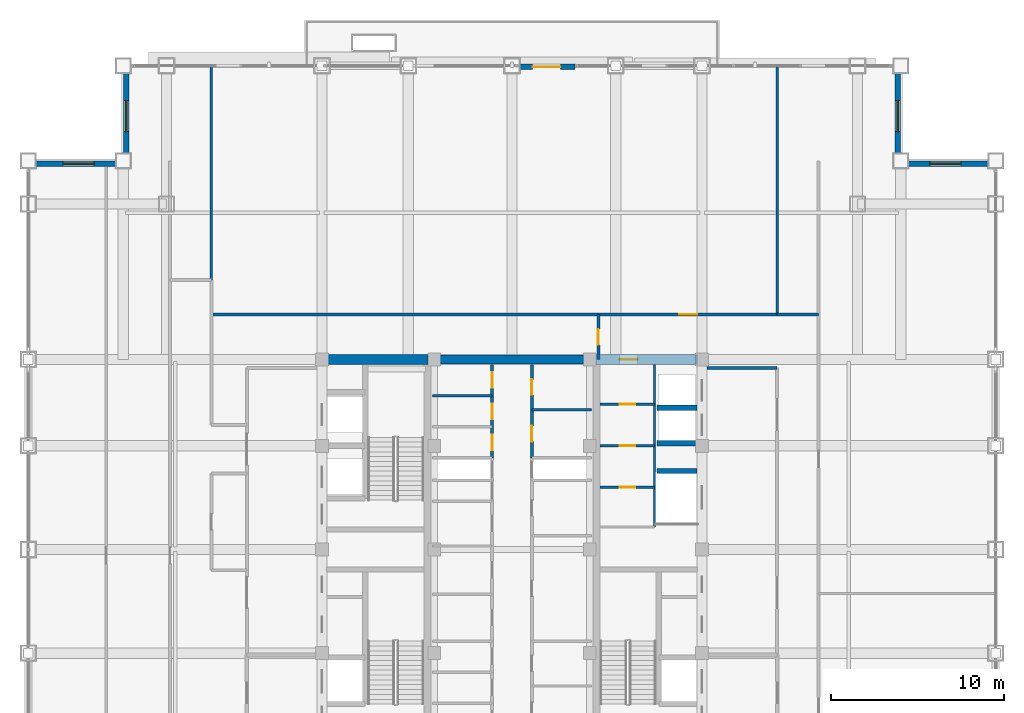
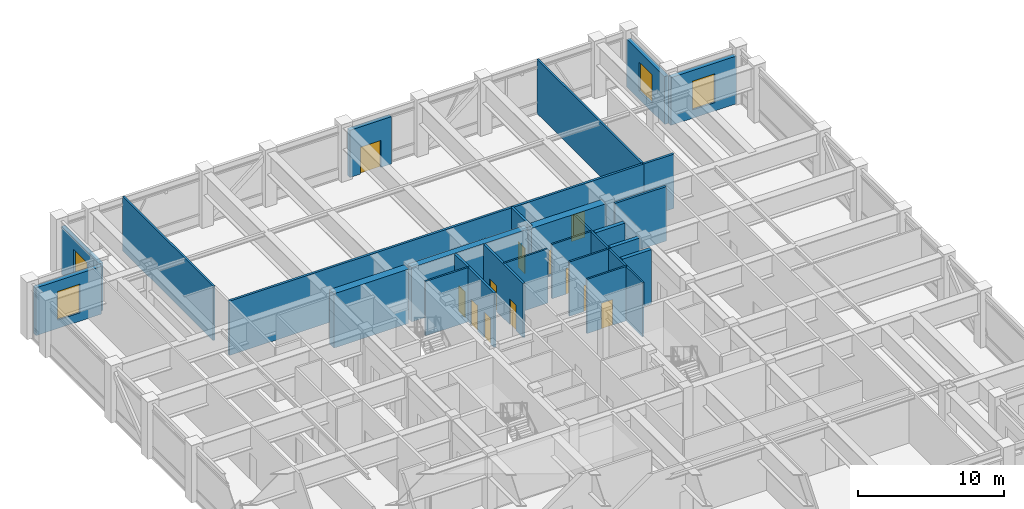
# One storey, part 25 of 31: 25 walls, 12 doors, 4 windows, 16 openings.
"""IFC4 building model written with IfcOpenShell, lengths in metres."""

from ifc_helpers import new_model, si_unit, direction, frame, frame_2d, origin, place, context, subcontext, project, spatial, rectangle, extrude, source, transform, mapped, material, layer, layer_set, type_object, element, fill, save


model = new_model("IFC4")

# Units and contexts
model_context = context("Model", 3, precision=1e-05, world=origin(), true_north=direction((0.0, 1.0)))
body_context = subcontext(model_context, "Body", "Model", "MODEL_VIEW")
ifc_project = project(units=[si_unit("LENGTHUNIT", "METRE"), si_unit("AREAUNIT", "SQUARE_METRE"), si_unit("VOLUMEUNIT", "CUBIC_METRE"), si_unit("PLANEANGLEUNIT", "RADIAN"), si_unit("MASSUNIT", "GRAM", prefix="KILO")], contexts=[model_context])

# Site, building, storey
site_placement = place(None, origin())
site = spatial("IfcSite", under=ifc_project, at=site_placement, CompositionType="ELEMENT")
building_placement = place(site_placement, origin())
building = spatial("IfcBuilding", under=site, at=building_placement, Name="Khorayat Bourse Tower", CompositionType="ELEMENT")
storey_placement = place(building_placement, frame((0.0, 0.0, 321.5)))
storey = spatial("IfcBuildingStorey", under=building, at=storey_placement, Name="L76", CompositionType="ELEMENT", Elevation=321.5)

# Wall
ifc_material_1 = material(Name="Concrete C60/75", Category="concrete")
ifc_layer_1 = layer(ifc_material_1, 0.60009765625)
ifc_layer_set_1 = layer_set([ifc_layer_1], Name="Concrete C60/75")
wall_type_1 = type_object("IfcWallType", Name="WAL-CORE-600", PredefinedType="SHEAR", material=ifc_layer_set_1)
shared_shape_1 = source(origin(), body_context, "Body", "SweptSolid", [
    extrude(rectangle(XDim=5.89990234375, YDim=0.60009765625, at=frame_2d((2.949951171875, 0.0))), origin(), (0.0, 0.0, 1.0), 4.5400390625),
])
wall_1_placement = place(storey_placement, frame((-10.75, 11.0, 0.0), z_axis=(0.0, 0.0, 1.0), x_axis=(1.0, 0.0, 0.0)))
element("IfcWall", 1, at=wall_1_placement, inside=storey, type_object=wall_type_1, Name="L76 Core Shear Wall PIER-WN", PredefinedType="SHEAR", context=body_context, shape_type="MappedRepresentation", body=[
    mapped(shared_shape_1, transform((0.0, 0.0, 0.0), scale=1.0)),
])

# Wall, opening, door
wall_2_placement = place(storey_placement, frame((4.85009765625, 11.0, 0.0), z_axis=(0.0, 0.0, 1.0), x_axis=(1.0, 0.0, 0.0)))
wall_2 = element("IfcWall", 2, at=wall_2_placement, inside=storey, type_object=wall_type_1, Name="L76 Core Shear Wall PIER-EN", PredefinedType="SHEAR", context=body_context, shape_type="MappedRepresentation", body=[
    mapped(shared_shape_1, transform((0.0, 0.0, 0.0), scale=1.0)),
])
shared_shape_2 = source(origin(), body_context, "Body", "SweptSolid", [
    extrude(rectangle(XDim=1.050048828125, YDim=2.199951171875, at=frame_2d((0.52490234375, 1.10009765625))), frame((0.0, 0.31005859375, 0.0), z_axis=(0.0, -1.0, 0.0), x_axis=(1.0, 0.0, 0.0)), (0.0, 0.0, 1.0), 0.6201171875),
])
opening_1_placement = place(wall_2_placement, frame((1.375, 0.0, 0.0)))
opening_1 = element("IfcOpeningElement", 3, at=opening_1_placement, cuts=wall_2, Name="Opening DI-04", PredefinedType="OPENING", context=body_context, shape_type="MappedRepresentation", body=[
    mapped(shared_shape_2, transform((0.0, 0.0, 0.0), scale=1.0)),
])
ifc_material_2 = material(Name="Fire-rated oak veneer suite entrance door")
door_type_1 = type_object("IfcDoorType", Name="DR-INT-SUITE-1050", OperationType="NOTDEFINED", PredefinedType="DOOR", material=ifc_material_2)
shared_shape_3 = source(origin(), body_context, "Body", "SweptSolid", [
    extrude(rectangle(XDim=1.050048828125, YDim=2.199951171875, at=frame_2d((0.52490234375, 1.10009765625))), frame((0.0, 0.02490234375, 0.0), z_axis=(0.0, -1.0, 0.0), x_axis=(1.0, 0.0, 0.0)), (0.0, 0.0, 1.0), 0.050048828125),
])
door_1_placement = place(opening_1_placement, origin())
door_1 = element("IfcDoor", 4, at=door_1_placement, inside=storey, type_object=door_type_1, Name="L76 Core Washroom Lobby Door", OperationType="SINGLE_SWING_LEFT", OverallHeight=2.199951171875, OverallWidth=1.050048828125, PredefinedType="DOOR", context=body_context, shape_type="MappedRepresentation", body=[
    mapped(shared_shape_3, transform((0.0, 0.0, 0.0), scale=1.0)),
])
fill(opening_1, door_1)

# Wall
ifc_material_3 = material(Name="Concrete C52/65", Category="concrete")
ifc_layer_2 = layer(ifc_material_3, 0.5)
ifc_layer_set_2 = layer_set([ifc_layer_2], Name="Concrete C52/65")
wall_type_2 = type_object("IfcWallType", Name="WAL-CORE-500", PredefinedType="SHEAR", material=ifc_layer_set_2)
shared_shape_4 = source(origin(), body_context, "Body", "SweptSolid", [
    extrude(rectangle(XDim=9.2001953125, YDim=0.5, at=frame_2d((4.60009765625, 0.0))), origin(), (0.0, 0.0, 1.0), 4.5400390625),
])
wall_3_placement = place(storey_placement, frame((-4.60009765625, 11.0, 0.0), z_axis=(0.0, 0.0, 1.0), x_axis=(1.0, 0.0, 0.0)))
element("IfcWall", 5, at=wall_3_placement, inside=storey, type_object=wall_type_2, Name="L76 Core Shear Wall CORE-N", PredefinedType="SHEAR", context=body_context, shape_type="MappedRepresentation", body=[
    mapped(shared_shape_4, transform((0.0, 0.0, 0.0), scale=1.0)),
])

# Wall, opening, window
ifc_material_4 = material(Name="Precast concrete C45/55", Category="concrete")
ifc_layer_3 = layer(ifc_material_4, 0.320068359375)
ifc_layer_set_3 = layer_set([ifc_layer_3], Name="Precast concrete C45/55")
wall_type_3 = type_object("IfcWallType", Name="WAL-EXT-STONE-320", PredefinedType="STANDARD", material=ifc_layer_set_3)
shared_shape_5 = source(origin(), body_context, "Body", "SweptSolid", [
    extrude(rectangle(XDim=5.179931640625, YDim=0.320068359375, at=frame_2d((2.58984375, 0.0))), origin(), (0.0, 0.0, 1.0), 3.990966796875),
])
wall_4_placement = place(storey_placement, frame((22.5, 22.340087890625, 0.0), z_axis=(0.0, 0.0, 1.0), x_axis=(1.0, 0.0, 0.0)))
wall_4 = element("IfcWall", 6, at=wall_4_placement, inside=storey, type_object=wall_type_3, Name="L76 Re-Entrant Notch Limestone Wall NE-H", PredefinedType="STANDARD", context=body_context, shape_type="MappedRepresentation", body=[
    mapped(shared_shape_5, transform((0.0, 0.0, 0.0), scale=1.0)),
])
shared_shape_6 = source(origin(), body_context, "Body", "SweptSolid", [
    extrude(rectangle(XDim=1.800048828125, YDim=2.39990234375, at=frame_2d((0.89990234375, 1.199951171875))), frame((0.0, 0.169921875, 0.0), z_axis=(0.0, -1.0, 0.0), x_axis=(1.0, 0.0, 0.0)), (0.0, 0.0, 1.0), 0.340087890625),
])
opening_2_placement = place(wall_4_placement, frame((1.68994140625, 0.0, 0.699951171875)))
opening_2 = element("IfcOpeningElement", 7, at=opening_2_placement, cuts=wall_4, Name="Opening WN-04", PredefinedType="OPENING", context=body_context, shape_type="MappedRepresentation", body=[
    mapped(shared_shape_6, transform((0.0, 0.0, 0.0), scale=1.0)),
])
ifc_material_5 = material(Name="Low-E acoustic laminated double glazing", Category="glass")
window_type = type_object("IfcWindowType", Name="WIN-NOTCH-1800x2400", PartitioningType="SINGLE_PANEL", PredefinedType="WINDOW", material=ifc_material_5)
shared_shape_7 = source(origin(), body_context, "Body", "SweptSolid", [
    extrude(rectangle(XDim=1.800048828125, YDim=2.39990234375, at=frame_2d((0.89990234375, 1.199951171875))), frame((0.0, 0.030029296875, 0.0), z_axis=(0.0, -1.0, 0.0), x_axis=(1.0, 0.0, 0.0)), (0.0, 0.0, 1.0), 0.06005859375),
])
window_1_placement = place(opening_2_placement, origin())
window_1 = element("IfcWindow", 8, at=window_1_placement, inside=storey, type_object=window_type, Name="L76 Facade Window 1", OverallHeight=2.39990234375, OverallWidth=1.800048828125, PartitioningType="SINGLE_PANEL", PredefinedType="WINDOW", context=body_context, shape_type="MappedRepresentation", body=[
    mapped(shared_shape_7, transform((0.0, 0.0, 0.0), scale=1.0)),
])
fill(opening_2, window_1)

wall_5_placement = place(storey_placement, frame((22.340087890625, 22.5, 0.0), z_axis=(0.0, 0.0, 1.0), x_axis=(0.0, 1.0, 0.0)))
wall_5 = element("IfcWall", 9, at=wall_5_placement, inside=storey, type_object=wall_type_3, Name="L76 Re-Entrant Notch Limestone Wall NE-V", PredefinedType="STANDARD", context=body_context, shape_type="MappedRepresentation", body=[
    mapped(shared_shape_5, transform((0.0, 0.0, 0.0), scale=1.0)),
])
opening_3_placement = place(wall_5_placement, frame((1.68994140625, 0.0, 0.699951171875)))
opening_3 = element("IfcOpeningElement", 10, at=opening_3_placement, cuts=wall_5, Name="Opening WN-04", PredefinedType="OPENING", context=body_context, shape_type="MappedRepresentation", body=[
    mapped(shared_shape_6, transform((0.0, 0.0, 0.0), scale=1.0)),
])
window_2_placement = place(opening_3_placement, origin())
window_2 = element("IfcWindow", 11, at=window_2_placement, inside=storey, type_object=window_type, Name="L76 Facade Window 1", OverallHeight=2.39990234375, OverallWidth=1.800048828125, PartitioningType="SINGLE_PANEL", PredefinedType="WINDOW", context=body_context, shape_type="MappedRepresentation", body=[
    mapped(shared_shape_7, transform((0.0, 0.0, 0.0), scale=1.0)),
])
fill(opening_3, window_2)

wall_6_placement = place(storey_placement, frame((-22.340087890625, 22.5, 0.0), z_axis=(0.0, 0.0, 1.0), x_axis=(0.0, 1.0, 0.0)))
wall_6 = element("IfcWall", 12, at=wall_6_placement, inside=storey, type_object=wall_type_3, Name="L76 Re-Entrant Notch Limestone Wall NW-V", PredefinedType="STANDARD", context=body_context, shape_type="MappedRepresentation", body=[
    mapped(shared_shape_5, transform((0.0, 0.0, 0.0), scale=1.0)),
])
opening_4_placement = place(wall_6_placement, frame((1.68994140625, 0.0, 0.699951171875)))
opening_4 = element("IfcOpeningElement", 13, at=opening_4_placement, cuts=wall_6, Name="Opening WN-04", PredefinedType="OPENING", context=body_context, shape_type="MappedRepresentation", body=[
    mapped(shared_shape_6, transform((0.0, 0.0, 0.0), scale=1.0)),
])
window_3_placement = place(opening_4_placement, origin())
window_3 = element("IfcWindow", 14, at=window_3_placement, inside=storey, type_object=window_type, Name="L76 Facade Window 1", OverallHeight=2.39990234375, OverallWidth=1.800048828125, PartitioningType="SINGLE_PANEL", PredefinedType="WINDOW", context=body_context, shape_type="MappedRepresentation", body=[
    mapped(shared_shape_7, transform((0.0, 0.0, 0.0), scale=1.0)),
])
fill(opening_4, window_3)

wall_7_placement = place(storey_placement, frame((-22.5, 22.340087890625, 0.0), z_axis=(0.0, 0.0, 1.0), x_axis=(-1.0, 0.0, 0.0)))
wall_7 = element("IfcWall", 15, at=wall_7_placement, inside=storey, type_object=wall_type_3, Name="L76 Re-Entrant Notch Limestone Wall NW-H", PredefinedType="STANDARD", context=body_context, shape_type="MappedRepresentation", body=[
    mapped(shared_shape_5, transform((0.0, 0.0, 0.0), scale=1.0)),
])
opening_5_placement = place(wall_7_placement, frame((1.68994140625, 0.0, 0.699951171875)))
opening_5 = element("IfcOpeningElement", 16, at=opening_5_placement, cuts=wall_7, Name="Opening WN-04", PredefinedType="OPENING", context=body_context, shape_type="MappedRepresentation", body=[
    mapped(shared_shape_6, transform((0.0, 0.0, 0.0), scale=1.0)),
])
window_4_placement = place(opening_5_placement, origin())
window_4 = element("IfcWindow", 17, at=window_4_placement, inside=storey, type_object=window_type, Name="L76 Facade Window 1", OverallHeight=2.39990234375, OverallWidth=1.800048828125, PartitioningType="SINGLE_PANEL", PredefinedType="WINDOW", context=body_context, shape_type="MappedRepresentation", body=[
    mapped(shared_shape_7, transform((0.0, 0.0, 0.0), scale=1.0)),
])
fill(opening_5, window_4)

# Wall, opening, door
shared_shape_8 = source(origin(), body_context, "Body", "SweptSolid", [
    extrude(rectangle(XDim=3.2998046875, YDim=0.320068359375, at=frame_2d((1.64990234375, 0.0))), origin(), (0.0, 0.0, 1.0), 3.950927734375),
])
wall_8_placement = place(storey_placement, frame((0.35009765625, 27.93310546875, 0.0), z_axis=(0.0, 0.0, 1.0), x_axis=(1.0, 0.0, 0.0)))
wall_8 = element("IfcWall", 18, at=wall_8_placement, inside=storey, type_object=wall_type_3, Name="L76 Exterior Limestone Wall WAL-L76-TDPORT-N1", PredefinedType="STANDARD", context=body_context, shape_type="MappedRepresentation", body=[
    mapped(shared_shape_8, transform((0.0, 0.0, 0.0), scale=1.0)),
])
shared_shape_9 = source(origin(), body_context, "Body", "SweptSolid", [
    extrude(rectangle(XDim=1.60009765625, YDim=2.25, at=frame_2d((0.800048828125, 1.125))), frame((0.0, 0.169921875, 0.0), z_axis=(0.0, -1.0, 0.0), x_axis=(1.0, 0.0, 0.0)), (0.0, 0.0, 1.0), 0.340087890625),
])
opening_6_placement = place(wall_8_placement, frame((0.85009765625, 0.0, 0.0)))
opening_6 = element("IfcOpeningElement", 19, at=opening_6_placement, cuts=wall_8, Name="Opening DE-04", PredefinedType="OPENING", context=body_context, shape_type="MappedRepresentation", body=[
    mapped(shared_shape_9, transform((0.0, 0.0, 0.0), scale=1.0)),
])
ifc_material_6 = material(Name="Thermally broken aluminium terrace double door", Category="aluminium")
door_type_2 = type_object("IfcDoorType", Name="DR-EXT-TERR-1600", OperationType="NOTDEFINED", PredefinedType="DOOR", material=ifc_material_6)
shared_shape_10 = source(origin(), body_context, "Body", "SweptSolid", [
    extrude(rectangle(XDim=1.60009765625, YDim=2.25, at=frame_2d((0.800048828125, 1.125))), frame((0.0, 0.02490234375, 0.0), z_axis=(0.0, -1.0, 0.0), x_axis=(1.0, 0.0, 0.0)), (0.0, 0.0, 1.0), 0.050048828125),
])
door_2_placement = place(opening_6_placement, origin())
door_2 = element("IfcDoor", 20, at=door_2_placement, inside=storey, type_object=door_type_2, Name="L76 North Sky Garden Door", OperationType="DOUBLE_DOOR_SINGLE_SWING", OverallHeight=2.25, OverallWidth=1.60009765625, PredefinedType="DOOR", context=body_context, shape_type="MappedRepresentation", body=[
    mapped(shared_shape_10, transform((0.0, 0.0, 0.0), scale=1.0)),
])
fill(opening_6, door_2)

# Walls
ifc_material_7 = material(Name="Concrete C50/60", Category="concrete")
ifc_layer_4 = layer(ifc_material_7, 0.300048828125)
ifc_layer_set_4 = layer_set([ifc_layer_4], Name="Concrete C50/60")
wall_type_4 = type_object("IfcWallType", Name="WAL-SHAFT-300", PredefinedType="SHEAR", material=ifc_layer_set_4)
shared_shape_11 = source(origin(), body_context, "Body", "SweptSolid", [
    extrude(rectangle(XDim=2.300048828125, YDim=0.300048828125, at=frame_2d((1.14990234375, 0.0))), origin(), (0.0, 0.0, 1.0), 4.5400390625),
])
for number, where, z_axis, x_axis, name in (
    (21, (8.39990234375, 4.550048828125, 0.0), (0.0, 0.0, 1.0), (1.0, 0.0, 0.0), "L76 Partition WAL-L76-EPIER-SVLN"),
    (22, (8.39990234375, 6.14990234375, 0.0), (0.0, 0.0, 1.0), (1.0, 0.0, 0.0), "L76 Partition WAL-L76-EPIER-H3S"),
    (23, (8.39990234375, 8.199951171875, 0.0), (0.0, 0.0, 1.0), (1.0, 0.0, 0.0), "L76 Partition WAL-L76-EPIER-H34"),
):
    element("IfcWall", number, at=place(storey_placement, frame(where, z_axis=z_axis, x_axis=x_axis)), inside=storey, type_object=wall_type_4, Name=name, PredefinedType="SHEAR", context=body_context, shape_type="MappedRepresentation", body=[
        mapped(shared_shape_11, transform((0.0, 0.0, 0.0), scale=1.0)),
    ])
ifc_material_8 = material(Name="Moisture-resistant masonry partition", Category="masonry")
ifc_layer_5 = layer(ifc_material_8, 0.139892578125)
ifc_layer_set_5 = layer_set([ifc_layer_5], Name="Moisture-resistant masonry partition")
wall_type_5 = type_object("IfcWallType", Name="WAL-PART-WET-140", PredefinedType="PARTITIONING", material=ifc_layer_set_5)
shared_shape_12 = source(origin(), body_context, "Body", "SweptSolid", [
    extrude(rectangle(XDim=9.39990234375, YDim=0.139892578125, at=frame_2d((4.699951171875, 0.0))), origin(), (0.0, 0.0, 1.0), 4.5400390625),
])
wall_9_placement = place(storey_placement, frame((8.25, 1.300048828125, 0.0), z_axis=(0.0, 0.0, 1.0), x_axis=(0.0, 1.0, 0.0)))
element("IfcWall", 24, at=wall_9_placement, inside=storey, type_object=wall_type_5, Name="L76 Partition WAL-L76-ECORE-E", PredefinedType="PARTITIONING", context=body_context, shape_type="MappedRepresentation", body=[
    mapped(shared_shape_12, transform((0.0, 0.0, 0.0), scale=1.0)),
])

# Wall, opening, door
shared_shape_13 = source(origin(), body_context, "Body", "SweptSolid", [
    extrude(rectangle(XDim=3.14990234375, YDim=0.139892578125, at=frame_2d((1.574951171875, 0.0))), origin(), (0.0, 0.0, 1.0), 4.5400390625),
])
wall_10_placement = place(storey_placement, frame((5.10009765625, 8.39990234375, 0.0), z_axis=(0.0, 0.0, 1.0), x_axis=(1.0, 0.0, 0.0)))
wall_10 = element("IfcWall", 25, at=wall_10_placement, inside=storey, type_object=wall_type_5, Name="L76 Partition WAL-L76-ECW-TOP", PredefinedType="PARTITIONING", context=body_context, shape_type="MappedRepresentation", body=[
    mapped(shared_shape_13, transform((0.0, 0.0, 0.0), scale=1.0)),
])
shared_shape_14 = source(origin(), body_context, "Body", "SweptSolid", [
    extrude(rectangle(XDim=0.89990234375, YDim=2.14990234375, at=frame_2d((0.449951171875, 1.074951171875))), frame((0.0, 0.079833984375, 0.0), z_axis=(0.0, -1.0, 0.0), x_axis=(1.0, 0.0, 0.0)), (0.0, 0.0, 1.0), 0.159912109375),
])
opening_7_placement = place(wall_10_placement, frame((1.1298828125, 0.0, 0.0)))
opening_7 = element("IfcOpeningElement", 26, at=opening_7_placement, cuts=wall_10, Name="Opening DI-06", PredefinedType="OPENING", context=body_context, shape_type="MappedRepresentation", body=[
    mapped(shared_shape_14, transform((0.0, 0.0, 0.0), scale=1.0)),
])
ifc_material_9 = material(Name="Moisture-resistant laminate washroom door")
door_type_3 = type_object("IfcDoorType", Name="DR-INT-WC-900", OperationType="NOTDEFINED", PredefinedType="DOOR", material=ifc_material_9)
shared_shape_15 = source(origin(), body_context, "Body", "SweptSolid", [
    extrude(rectangle(XDim=0.89990234375, YDim=2.14990234375, at=frame_2d((0.449951171875, 1.074951171875))), frame((0.0, 0.02490234375, 0.0), z_axis=(0.0, -1.0, 0.0), x_axis=(1.0, 0.0, 0.0)), (0.0, 0.0, 1.0), 0.050048828125),
])
door_3_placement = place(opening_7_placement, origin())
door_3 = element("IfcDoor", 27, at=door_3_placement, inside=storey, type_object=door_type_3, Name="L76 Accessible WC Door", OperationType="SINGLE_SWING_LEFT", OverallHeight=2.14990234375, OverallWidth=0.89990234375, PredefinedType="DOOR", context=body_context, shape_type="MappedRepresentation", body=[
    mapped(shared_shape_15, transform((0.0, 0.0, 0.0), scale=1.0)),
])
fill(opening_7, door_3)

wall_11_placement = place(storey_placement, frame((5.10009765625, 6.0, 0.0), z_axis=(0.0, 0.0, 1.0), x_axis=(1.0, 0.0, 0.0)))
wall_11 = element("IfcWall", 28, at=wall_11_placement, inside=storey, type_object=wall_type_5, Name="L76 Partition WAL-L76-ECW-H1", PredefinedType="PARTITIONING", context=body_context, shape_type="MappedRepresentation", body=[
    mapped(shared_shape_13, transform((0.0, 0.0, 0.0), scale=1.0)),
])
opening_8_placement = place(wall_11_placement, frame((1.1298828125, 0.0, 0.0)))
opening_8 = element("IfcOpeningElement", 29, at=opening_8_placement, cuts=wall_11, Name="Opening DI-06", PredefinedType="OPENING", context=body_context, shape_type="MappedRepresentation", body=[
    mapped(shared_shape_14, transform((0.0, 0.0, 0.0), scale=1.0)),
])
door_4_placement = place(opening_8_placement, origin())
door_4 = element("IfcDoor", 30, at=door_4_placement, inside=storey, type_object=door_type_3, Name="L76 Shared Washroom Door", OperationType="SINGLE_SWING_RIGHT", OverallHeight=2.14990234375, OverallWidth=0.89990234375, PredefinedType="DOOR", context=body_context, shape_type="MappedRepresentation", body=[
    mapped(shared_shape_15, transform((0.0, 0.0, 0.0), scale=1.0)),
])
fill(opening_8, door_4)

wall_12_placement = place(storey_placement, frame((5.10009765625, 3.60009765625, 0.0), z_axis=(0.0, 0.0, 1.0), x_axis=(1.0, 0.0, 0.0)))
wall_12 = element("IfcWall", 31, at=wall_12_placement, inside=storey, type_object=wall_type_5, Name="L76 Partition WAL-L76-ECW-H2", PredefinedType="PARTITIONING", context=body_context, shape_type="MappedRepresentation", body=[
    mapped(shared_shape_13, transform((0.0, 0.0, 0.0), scale=1.0)),
])
opening_9_placement = place(wall_12_placement, frame((1.1298828125, 0.0, 0.0)))
opening_9 = element("IfcOpeningElement", 32, at=opening_9_placement, cuts=wall_12, Name="Opening DI-06", PredefinedType="OPENING", context=body_context, shape_type="MappedRepresentation", body=[
    mapped(shared_shape_14, transform((0.0, 0.0, 0.0), scale=1.0)),
])
door_5_placement = place(opening_9_placement, origin())
door_5 = element("IfcDoor", 33, at=door_5_placement, inside=storey, type_object=door_type_3, Name="L76 Staff Washroom Door", OperationType="SINGLE_SWING_LEFT", OverallHeight=2.14990234375, OverallWidth=0.89990234375, PredefinedType="DOOR", context=body_context, shape_type="MappedRepresentation", body=[
    mapped(shared_shape_15, transform((0.0, 0.0, 0.0), scale=1.0)),
])
fill(opening_9, door_5)

# Walls
ifc_material_10 = material(Name="Gypsum plasterboard acoustic stud wall")
ifc_layer_6 = layer(ifc_material_10, 0.179931640625)
ifc_layer_set_6 = layer_set([ifc_layer_6], Name="Gypsum plasterboard acoustic stud wall")
wall_type_6 = type_object("IfcWallType", Name="WAL-PART-CORR-180", PredefinedType="PARTITIONING", material=ifc_layer_set_6)
shared_shape_16 = source(origin(), body_context, "Body", "SweptSolid", [
    extrude(rectangle(XDim=4.050048828125, YDim=0.179931640625, at=frame_2d((2.02490234375, 0.0))), origin(), (0.0, 0.0, 1.0), 4.5400390625),
])
wall_13_placement = place(storey_placement, frame((11.300048828125, 10.5, 0.0), z_axis=(0.0, 0.0, 1.0), x_axis=(1.0, 0.0, 0.0)))
element("IfcWall", 34, at=wall_13_placement, inside=storey, type_object=wall_type_6, Name="L76 Partition WAL-L76-ELOB-N", PredefinedType="PARTITIONING", context=body_context, shape_type="MappedRepresentation", body=[
    mapped(shared_shape_16, transform((0.0, 0.0, 0.0), scale=1.0)),
])
shared_shape_17 = source(origin(), body_context, "Body", "SweptSolid", [
    extrude(rectangle(XDim=3.4501953125, YDim=0.139892578125, at=frame_2d((1.72509765625, 0.0))), origin(), (0.0, 0.0, 1.0), 4.5400390625),
])
for number, where, z_axis, x_axis, name in (
    (35, (-4.60009765625, 8.89990234375, 0.0), (0.0, 0.0, 1.0), (1.0, 0.0, 0.0), "L76 Partition WAL-L76-FB2W-D2"),
    (36, (1.14990234375, 8.10009765625, 0.0), (0.0, 0.0, 1.0), (1.0, 0.0, 0.0), "L76 Partition WAL-L76-FB2E-D1"),
):
    element("IfcWall", number, at=place(storey_placement, frame(where, z_axis=z_axis, x_axis=x_axis)), inside=storey, type_object=wall_type_5, Name=name, PredefinedType="PARTITIONING", context=body_context, shape_type="MappedRepresentation", body=[
        mapped(shared_shape_17, transform((0.0, 0.0, 0.0), scale=1.0)),
    ])

# Wall, openings, doors
shared_shape_18 = source(origin(), body_context, "Body", "SweptSolid", [
    extrude(rectangle(XDim=5.39990234375, YDim=0.179931640625, at=frame_2d((2.699951171875, 0.0))), origin(), (0.0, 0.0, 1.0), 4.5400390625),
])
wall_14_placement = place(storey_placement, frame((-1.14990234375, 5.300048828125, 0.0), z_axis=(0.0, 0.0, 1.0), x_axis=(0.0, 1.0, 0.0)))
wall_14 = element("IfcWall", 37, at=wall_14_placement, inside=storey, type_object=wall_type_6, Name="L76 Partition WAL-L76-FB2W-L", PredefinedType="PARTITIONING", context=body_context, shape_type="MappedRepresentation", body=[
    mapped(shared_shape_18, transform((0.0, 0.0, 0.0), scale=1.0)),
])
shared_shape_19 = source(origin(), body_context, "Body", "SweptSolid", [
    extrude(rectangle(XDim=0.89990234375, YDim=2.14990234375, at=frame_2d((0.449951171875, 1.074951171875))), frame((0.0, 0.099853515625, 0.0), z_axis=(0.0, -1.0, 0.0), x_axis=(1.0, 0.0, 0.0)), (0.0, 0.0, 1.0), 0.199951171875),
])
opening_10_placement = place(wall_14_placement, frame((0.449951171875, 0.0, 0.0)))
opening_10 = element("IfcOpeningElement", 38, at=opening_10_placement, cuts=wall_14, Name="Opening DI-06", PredefinedType="OPENING", context=body_context, shape_type="MappedRepresentation", body=[
    mapped(shared_shape_19, transform((0.0, 0.0, 0.0), scale=1.0)),
])
opening_11_placement = place(wall_14_placement, frame((2.25, 0.0, 0.0)))
opening_11 = element("IfcOpeningElement", 39, at=opening_11_placement, cuts=wall_14, Name="Opening DI-06", PredefinedType="OPENING", context=body_context, shape_type="MappedRepresentation", body=[
    mapped(shared_shape_19, transform((0.0, 0.0, 0.0), scale=1.0)),
])
opening_12_placement = place(wall_14_placement, frame((4.050048828125, 0.0, 0.0)))
opening_12 = element("IfcOpeningElement", 40, at=opening_12_placement, cuts=wall_14, Name="Opening DI-06", PredefinedType="OPENING", context=body_context, shape_type="MappedRepresentation", body=[
    mapped(shared_shape_19, transform((0.0, 0.0, 0.0), scale=1.0)),
])
door_6_placement = place(opening_10_placement, origin())
door_6 = element("IfcDoor", 41, at=door_6_placement, inside=storey, type_object=door_type_3, Name="L76 Custody Vault A Door", OperationType="SINGLE_SWING_RIGHT", OverallHeight=2.14990234375, OverallWidth=0.89990234375, PredefinedType="DOOR", context=body_context, shape_type="MappedRepresentation", body=[
    mapped(shared_shape_15, transform((0.0, 0.0, 0.0), scale=1.0)),
])
fill(opening_10, door_6)
door_7_placement = place(opening_11_placement, origin())
door_7 = element("IfcDoor", 42, at=door_7_placement, inside=storey, type_object=door_type_3, Name="L76 Fiber Patch Room Door", OperationType="SINGLE_SWING_LEFT", OverallHeight=2.14990234375, OverallWidth=0.89990234375, PredefinedType="DOOR", context=body_context, shape_type="MappedRepresentation", body=[
    mapped(shared_shape_15, transform((0.0, 0.0, 0.0), scale=1.0)),
])
fill(opening_11, door_7)
door_8_placement = place(opening_12_placement, origin())
door_8 = element("IfcDoor", 43, at=door_8_placement, inside=storey, type_object=door_type_3, Name="L76 Custody Vault B Door", OperationType="SINGLE_SWING_RIGHT", OverallHeight=2.14990234375, OverallWidth=0.89990234375, PredefinedType="DOOR", context=body_context, shape_type="MappedRepresentation", body=[
    mapped(shared_shape_15, transform((0.0, 0.0, 0.0), scale=1.0)),
])
fill(opening_12, door_8)

wall_15_placement = place(storey_placement, frame((1.14990234375, 5.300048828125, 0.0), z_axis=(0.0, 0.0, 1.0), x_axis=(0.0, 1.0, 0.0)))
wall_15 = element("IfcWall", 44, at=wall_15_placement, inside=storey, type_object=wall_type_6, Name="L76 Partition WAL-L76-FB2E-L", PredefinedType="PARTITIONING", context=body_context, shape_type="MappedRepresentation", body=[
    mapped(shared_shape_18, transform((0.0, 0.0, 0.0), scale=1.0)),
])
opening_13_placement = place(wall_15_placement, frame((0.949951171875, 0.0, 0.0)))
opening_13 = element("IfcOpeningElement", 45, at=opening_13_placement, cuts=wall_15, Name="Opening DI-06", PredefinedType="OPENING", context=body_context, shape_type="MappedRepresentation", body=[
    mapped(shared_shape_19, transform((0.0, 0.0, 0.0), scale=1.0)),
])
opening_14_placement = place(wall_15_placement, frame((3.64990234375, 0.0, 0.0)))
opening_14 = element("IfcOpeningElement", 46, at=opening_14_placement, cuts=wall_15, Name="Opening DI-06", PredefinedType="OPENING", context=body_context, shape_type="MappedRepresentation", body=[
    mapped(shared_shape_19, transform((0.0, 0.0, 0.0), scale=1.0)),
])
door_9_placement = place(opening_13_placement, origin())
door_9 = element("IfcDoor", 47, at=door_9_placement, inside=storey, type_object=door_type_3, Name="L76 Core Pantry Store Door", OperationType="SINGLE_SWING_RIGHT", OverallHeight=2.14990234375, OverallWidth=0.89990234375, PredefinedType="DOOR", context=body_context, shape_type="MappedRepresentation", body=[
    mapped(shared_shape_15, transform((0.0, 0.0, 0.0), scale=1.0)),
])
fill(opening_13, door_9)
door_10_placement = place(opening_14_placement, origin())
door_10 = element("IfcDoor", 48, at=door_10_placement, inside=storey, type_object=door_type_3, Name="L76 Chilled Riser Room Door", OperationType="SINGLE_SWING_LEFT", OverallHeight=2.14990234375, OverallWidth=0.89990234375, PredefinedType="DOOR", context=body_context, shape_type="MappedRepresentation", body=[
    mapped(shared_shape_15, transform((0.0, 0.0, 0.0), scale=1.0)),
])
fill(opening_14, door_10)

# Wall, opening, door
shared_shape_20 = source(origin(), body_context, "Body", "SweptSolid", [
    extrude(rectangle(XDim=2.60009765625, YDim=0.179931640625, at=frame_2d((1.300048828125, 0.0))), origin(), (0.0, 0.0, 1.0), 4.5400390625),
])
wall_16_placement = place(storey_placement, frame((5.0, 11.0, 0.0), z_axis=(0.0, 0.0, 1.0), x_axis=(0.0, 1.0, 0.0)))
wall_16 = element("IfcWall", 49, at=wall_16_placement, inside=storey, type_object=wall_type_6, Name="L76 Partition WAL-L76-CORRNE-W", PredefinedType="PARTITIONING", context=body_context, shape_type="MappedRepresentation", body=[
    mapped(shared_shape_20, transform((0.0, 0.0, 0.0), scale=1.0)),
])
opening_15_placement = place(wall_16_placement, frame((0.85009765625, 0.0, 0.0)))
opening_15 = element("IfcOpeningElement", 50, at=opening_15_placement, cuts=wall_16, Name="Opening DI-06", PredefinedType="OPENING", context=body_context, shape_type="MappedRepresentation", body=[
    mapped(shared_shape_19, transform((0.0, 0.0, 0.0), scale=1.0)),
])
door_11_placement = place(opening_15_placement, origin())
door_11 = element("IfcDoor", 51, at=door_11_placement, inside=storey, type_object=door_type_3, Name="L76 North Core Pantry Door", OperationType="SINGLE_SWING_LEFT", OverallHeight=2.14990234375, OverallWidth=0.89990234375, PredefinedType="DOOR", context=body_context, shape_type="MappedRepresentation", body=[
    mapped(shared_shape_15, transform((0.0, 0.0, 0.0), scale=1.0)),
])
fill(opening_15, door_11)

# Wall
shared_shape_21 = source(origin(), body_context, "Body", "SweptSolid", [
    extrude(rectangle(XDim=2.39990234375, YDim=0.179931640625, at=frame_2d((1.199951171875, 0.0))), origin(), (0.0, 0.0, 1.0), 4.5400390625),
])
wall_17_placement = place(storey_placement, frame((15.35009765625, 13.60009765625, 0.0), z_axis=(0.0, 0.0, 1.0), x_axis=(1.0, 0.0, 0.0)))
element("IfcWall", 52, at=wall_17_placement, inside=storey, type_object=wall_type_6, Name="L76 Partition WAL-L76-GALE-N", PredefinedType="PARTITIONING", context=body_context, shape_type="MappedRepresentation", body=[
    mapped(shared_shape_21, transform((0.0, 0.0, 0.0), scale=1.0)),
])

# Wall, opening, door
shared_shape_22 = source(origin(), body_context, "Body", "SweptSolid", [
    extrude(rectangle(XDim=32.75, YDim=0.179931640625, at=frame_2d((16.375, 0.0))), origin(), (0.0, 0.0, 1.0), 4.5400390625),
])
wall_18_placement = place(storey_placement, frame((-17.39990234375, 13.60009765625, 0.0), z_axis=(0.0, 0.0, 1.0), x_axis=(1.0, 0.0, 0.0)))
wall_18 = element("IfcWall", 53, at=wall_18_placement, inside=storey, type_object=wall_type_6, Name="L76 Partition WAL-L76-NCORR", PredefinedType="PARTITIONING", context=body_context, shape_type="MappedRepresentation", body=[
    mapped(shared_shape_22, transform((0.0, 0.0, 0.0), scale=1.0)),
])
shared_shape_23 = source(origin(), body_context, "Body", "SweptSolid", [
    extrude(rectangle(XDim=1.050048828125, YDim=2.199951171875, at=frame_2d((0.52490234375, 1.10009765625))), frame((0.0, 0.099853515625, 0.0), z_axis=(0.0, -1.0, 0.0), x_axis=(1.0, 0.0, 0.0)), (0.0, 0.0, 1.0), 0.199951171875),
])
opening_16_placement = place(wall_18_placement, frame((27.074951171875, 0.0, 0.0)))
opening_16 = element("IfcOpeningElement", 54, at=opening_16_placement, cuts=wall_18, Name="Opening DI-04", PredefinedType="OPENING", context=body_context, shape_type="MappedRepresentation", body=[
    mapped(shared_shape_23, transform((0.0, 0.0, 0.0), scale=1.0)),
])
door_12_placement = place(opening_16_placement, origin())
door_12 = element("IfcDoor", 55, at=door_12_placement, inside=storey, type_object=door_type_1, Name="L76 North Sky Terrace Lounge N1 Door", OperationType="SINGLE_SWING_RIGHT", OverallHeight=2.199951171875, OverallWidth=1.050048828125, PredefinedType="DOOR", context=body_context, shape_type="MappedRepresentation", body=[
    mapped(shared_shape_3, transform((0.0, 0.0, 0.0), scale=1.0)),
])
fill(opening_16, door_12)

# Walls
ifc_material_11 = material(Name="Gypsum plasterboard twin-frame partition")
ifc_layer_7 = layer(ifc_material_11, 0.14990234375)
ifc_layer_set_7 = layer_set([ifc_layer_7], Name="Gypsum plasterboard twin-frame partition")
wall_type_7 = type_object("IfcWallType", Name="WAL-PART-SUITE-150", PredefinedType="PARTITIONING", material=ifc_layer_set_7)
shared_shape_24 = source(origin(), body_context, "Body", "SweptSolid", [
    extrude(rectangle(XDim=12.39990234375, YDim=0.14990234375, at=frame_2d((6.199951171875, 0.0))), origin(), (0.0, 0.0, 1.0), 4.5400390625),
])
wall_19_placement = place(storey_placement, frame((-17.39990234375, 15.60009765625, 0.0), z_axis=(0.0, 0.0, 1.0), x_axis=(0.0, 1.0, 0.0)))
element("IfcWall", 56, at=wall_19_placement, inside=storey, type_object=wall_type_7, Name="L76 Partition WAL-L76-NCW-END", PredefinedType="PARTITIONING", context=body_context, shape_type="MappedRepresentation", body=[
    mapped(shared_shape_24, transform((0.0, 0.0, 0.0), scale=1.0)),
])
shared_shape_25 = source(origin(), body_context, "Body", "SweptSolid", [
    extrude(rectangle(XDim=14.39990234375, YDim=0.14990234375, at=frame_2d((7.199951171875, 0.0))), origin(), (0.0, 0.0, 1.0), 4.5400390625),
])
wall_20_placement = place(storey_placement, frame((15.35009765625, 13.60009765625, 0.0), z_axis=(0.0, 0.0, 1.0), x_axis=(0.0, 1.0, 0.0)))
element("IfcWall", 57, at=wall_20_placement, inside=storey, type_object=wall_type_7, Name="L76 Partition WAL-L76-NCE-END", PredefinedType="PARTITIONING", context=body_context, shape_type="MappedRepresentation", body=[
    mapped(shared_shape_25, transform((0.0, 0.0, 0.0), scale=1.0)),
])

save(model, "model.ifc")
